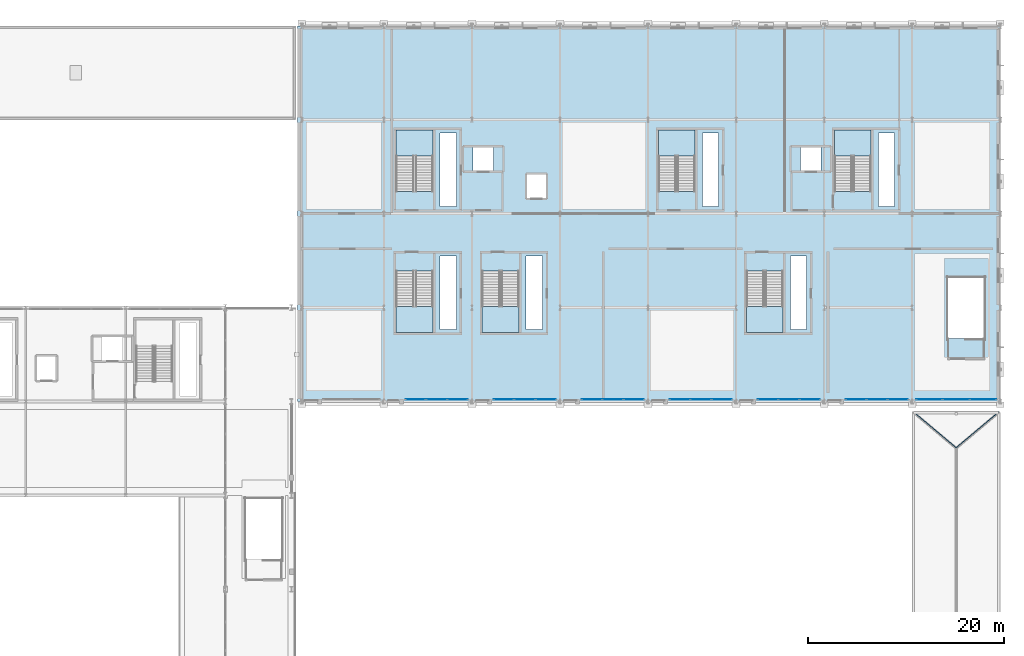
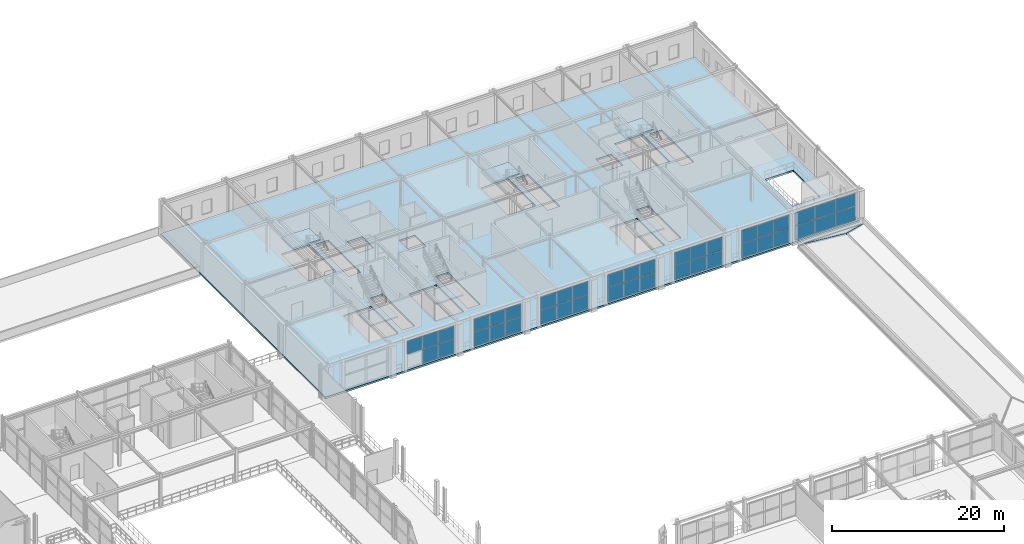
# One storey, part 64 of 125: 41 plates, 8 slabs, 13 elements without a shape of their own.
"""IFC4 building model written with IfcOpenShell, lengths in metres."""

from ifc_helpers import new_model, si_unit, direction, frame, origin, origin_2d, place, context, subcontext, project, spatial, polyline, rectangle, outline, extrude, material, layer, layer_set, type_object, element, aggregate, save


model = new_model("IFC4")

# Units and contexts
model_context = context("Model", 3, precision=1e-05, world=origin(), true_north=direction((0.0, 1.0)))
body_context = subcontext(model_context, "Body", "Model", "MODEL_VIEW")
ifc_project = project(units=[si_unit("LENGTHUNIT", "METRE"), si_unit("AREAUNIT", "SQUARE_METRE"), si_unit("VOLUMEUNIT", "CUBIC_METRE"), si_unit("PLANEANGLEUNIT", "RADIAN"), si_unit("MASSUNIT", "GRAM", prefix="KILO")], contexts=[model_context])

# Site, building, storey
site_placement = place(None, origin())
site = spatial("IfcSite", under=ifc_project, at=site_placement, CompositionType="ELEMENT")
building_placement = place(site_placement, origin())
building = spatial("IfcBuilding", under=site, at=building_placement, Name="Myrtia Square Station", CompositionType="ELEMENT")
storey_placement = place(building_placement, frame((0.0, 0.0, 6.0)))
storey = spatial("IfcBuildingStorey", under=building, at=storey_placement, Name="L01", CompositionType="ELEMENT", Elevation=6.0)

# Curtain wall, plates
ifc_material_1 = material(Name="Dark bronze anodised aluminium", Category="aluminium")
ifc_layer_1 = layer(ifc_material_1, 0.159912109375, Name="Dark bronze anodised aluminium")
ifc_layer_set_1 = layer_set([ifc_layer_1], Name="Dark bronze anodised aluminium")
curtain_wall_type_1 = type_object("IfcCurtainWallType", Name="CW-TYPE-39-650x400", PredefinedType="USERDEFINED", material=ifc_layer_set_1)
curtain_wall_1_placement = place(storey_placement, origin())
curtain_wall_1 = element("IfcCurtainWall", 1, at=curtain_wall_1_placement, inside=storey, type_object=curtain_wall_type_1, Name="Concourse curtain wall CW-L01-118", ObjectType="CONCOURSE CURTAIN WALL", PredefinedType="USERDEFINED")
ifc_material_2 = material(Name="Tinted low-E solar control glass", Category="glass")
ifc_layer_2 = layer(ifc_material_2, 0.02392578125, Name="Tinted low-E solar control glass")
ifc_layer_set_2 = layer_set([ifc_layer_2], Name="Tinted low-E solar control glass")
plate_type_1 = type_object("IfcPlateType", Name="CWP-GLZ-24", PredefinedType="CURTAIN_PANEL", material=ifc_layer_set_2)
plate_1_placement = place(storey_placement, frame((129.252197265625, 86.60009765625, 2.117431640625), z_axis=(0.0, 0.0, 1.0), x_axis=(1.0, 0.0, 0.0)))
plate_1 = element("IfcPlate", 2, at=plate_1_placement, type_object=plate_type_1, Name="CW-118 panel 1.2", PredefinedType="CURTAIN_PANEL", context=body_context, shape_type="SweptSolid", body=[
    extrude(rectangle(XDim=2.05419921875, YDim=0.02392578125, at=origin_2d()), origin(), (0.0, 0.0, 1.0), 1.8076171875),
])
plate_2_placement = place(storey_placement, frame((131.39990234375, 86.60009765625, 0.0751953125), z_axis=(0.0, 0.0, 1.0), x_axis=(1.0, 0.0, 0.0)))
plate_2 = element("IfcPlate", 3, at=plate_2_placement, type_object=plate_type_1, Name="CW-118 panel 2.1", PredefinedType="CURTAIN_PANEL", context=body_context, shape_type="SweptSolid", body=[
    extrude(rectangle(XDim=2.091552734375, YDim=0.02392578125, at=origin_2d()), origin(), (0.0, 0.0, 1.0), 1.967529296875),
])
plate_3_placement = place(storey_placement, frame((131.39990234375, 86.60009765625, 2.117431640625), z_axis=(0.0, 0.0, 1.0), x_axis=(1.0, 0.0, 0.0)))
plate_3 = element("IfcPlate", 4, at=plate_3_placement, type_object=plate_type_1, Name="CW-118 panel 2.2", PredefinedType="CURTAIN_PANEL", context=body_context, shape_type="SweptSolid", body=[
    extrude(rectangle(XDim=2.091552734375, YDim=0.02392578125, at=origin_2d()), origin(), (0.0, 0.0, 1.0), 1.8076171875),
])
plate_4_placement = place(storey_placement, frame((133.5478515625, 86.60009765625, 0.0751953125), z_axis=(0.0, 0.0, 1.0), x_axis=(1.0, 0.0, 0.0)))
plate_4 = element("IfcPlate", 5, at=plate_4_placement, type_object=plate_type_1, Name="CW-118 panel 3.1", PredefinedType="CURTAIN_PANEL", context=body_context, shape_type="SweptSolid", body=[
    extrude(rectangle(XDim=2.05419921875, YDim=0.02392578125, at=origin_2d()), origin(), (0.0, 0.0, 1.0), 1.967529296875),
])
plate_5_placement = place(storey_placement, frame((133.5478515625, 86.60009765625, 2.117431640625), z_axis=(0.0, 0.0, 1.0), x_axis=(1.0, 0.0, 0.0)))
plate_5 = element("IfcPlate", 6, at=plate_5_placement, type_object=plate_type_1, Name="CW-118 panel 3.2", PredefinedType="CURTAIN_PANEL", context=body_context, shape_type="SweptSolid", body=[
    extrude(rectangle(XDim=2.05419921875, YDim=0.02392578125, at=origin_2d()), origin(), (0.0, 0.0, 1.0), 1.8076171875),
])
aggregate(curtain_wall_1, [plate_1, plate_2, plate_3, plate_4, plate_5])

ifc_layer_3 = layer(ifc_material_1, 0.159912109375, Name="Dark bronze anodised aluminium")
ifc_layer_set_3 = layer_set([ifc_layer_3], Name="Dark bronze anodised aluminium")
curtain_wall_type_2 = type_object("IfcCurtainWallType", Name="CW-TYPE-44-830x400", PredefinedType="USERDEFINED", material=ifc_layer_set_3)
curtain_wall_2_placement = place(storey_placement, origin())
curtain_wall_2 = element("IfcCurtainWall", 7, at=curtain_wall_2_placement, inside=storey, type_object=curtain_wall_type_2, Name="Concourse curtain wall CW-L01-146", ObjectType="CONCOURSE CURTAIN WALL", PredefinedType="USERDEFINED")
plate_6_placement = place(storey_placement, frame((181.752197265625, 86.60009765625, 0.0751953125), z_axis=(0.0, 0.0, 1.0), x_axis=(1.0, 0.0, 0.0)))
plate_6 = element("IfcPlate", 8, at=plate_6_placement, type_object=plate_type_1, Name="CW-146 panel 1.1", PredefinedType="CURTAIN_PANEL", context=body_context, shape_type="SweptSolid", body=[
    extrude(rectangle(XDim=2.654052734375, YDim=0.02392578125, at=origin_2d()), origin(), (0.0, 0.0, 1.0), 1.967529296875),
])
plate_7_placement = place(storey_placement, frame((181.752197265625, 86.60009765625, 2.117431640625), z_axis=(0.0, 0.0, 1.0), x_axis=(1.0, 0.0, 0.0)))
plate_7 = element("IfcPlate", 9, at=plate_7_placement, type_object=plate_type_1, Name="CW-146 panel 1.2", PredefinedType="CURTAIN_PANEL", context=body_context, shape_type="SweptSolid", body=[
    extrude(rectangle(XDim=2.654052734375, YDim=0.02392578125, at=origin_2d()), origin(), (0.0, 0.0, 1.0), 1.8076171875),
])
plate_8_placement = place(storey_placement, frame((184.5, 86.60009765625, 0.0751953125), z_axis=(0.0, 0.0, 1.0), x_axis=(1.0, 0.0, 0.0)))
plate_8 = element("IfcPlate", 10, at=plate_8_placement, type_object=plate_type_1, Name="CW-146 panel 2.1", PredefinedType="CURTAIN_PANEL", context=body_context, shape_type="SweptSolid", body=[
    extrude(rectangle(XDim=2.691650390625, YDim=0.02392578125, at=origin_2d()), origin(), (0.0, 0.0, 1.0), 1.967529296875),
])
plate_9_placement = place(storey_placement, frame((184.5, 86.60009765625, 2.117431640625), z_axis=(0.0, 0.0, 1.0), x_axis=(1.0, 0.0, 0.0)))
plate_9 = element("IfcPlate", 11, at=plate_9_placement, type_object=plate_type_1, Name="CW-146 panel 2.2", PredefinedType="CURTAIN_PANEL", context=body_context, shape_type="SweptSolid", body=[
    extrude(rectangle(XDim=2.691650390625, YDim=0.02392578125, at=origin_2d()), origin(), (0.0, 0.0, 1.0), 1.8076171875),
])
plate_10_placement = place(storey_placement, frame((187.247802734375, 86.60009765625, 0.0751953125), z_axis=(0.0, 0.0, 1.0), x_axis=(1.0, 0.0, 0.0)))
plate_10 = element("IfcPlate", 12, at=plate_10_placement, type_object=plate_type_1, Name="CW-146 panel 3.1", PredefinedType="CURTAIN_PANEL", context=body_context, shape_type="SweptSolid", body=[
    extrude(rectangle(XDim=2.654052734375, YDim=0.02392578125, at=origin_2d()), origin(), (0.0, 0.0, 1.0), 1.967529296875),
])
plate_11_placement = place(storey_placement, frame((187.247802734375, 86.60009765625, 2.117431640625), z_axis=(0.0, 0.0, 1.0), x_axis=(1.0, 0.0, 0.0)))
plate_11 = element("IfcPlate", 13, at=plate_11_placement, type_object=plate_type_1, Name="CW-146 panel 3.2", PredefinedType="CURTAIN_PANEL", context=body_context, shape_type="SweptSolid", body=[
    extrude(rectangle(XDim=2.654052734375, YDim=0.02392578125, at=origin_2d()), origin(), (0.0, 0.0, 1.0), 1.8076171875),
])
aggregate(curtain_wall_2, [plate_6, plate_7, plate_8, plate_9, plate_10, plate_11])

curtain_wall_3_placement = place(storey_placement, origin())
curtain_wall_3 = element("IfcCurtainWall", 14, at=curtain_wall_3_placement, inside=storey, type_object=curtain_wall_type_1, Name="Concourse curtain wall CW-L01-123", ObjectType="CONCOURSE CURTAIN WALL", PredefinedType="USERDEFINED")
ifc_layer_4 = layer(ifc_material_2, 0.028076171875, Name="Tinted low-E solar control glass")
ifc_layer_set_4 = layer_set([ifc_layer_4], Name="Tinted low-E solar control glass")
plate_type_2 = type_object("IfcPlateType", Name="CWP-GLZ-28", PredefinedType="CURTAIN_PANEL", material=ifc_layer_set_4)
plate_12_placement = place(storey_placement, frame((138.252197265625, 86.60009765625, 0.0751953125), z_axis=(0.0, 0.0, 1.0), x_axis=(1.0, 0.0, 0.0)))
plate_12 = element("IfcPlate", 15, at=plate_12_placement, type_object=plate_type_2, Name="CW-123 panel 1.1", PredefinedType="CURTAIN_PANEL", context=body_context, shape_type="SweptSolid", body=[
    extrude(rectangle(XDim=2.05419921875, YDim=0.028076171875, at=origin_2d()), origin(), (0.0, 0.0, 1.0), 1.967529296875),
])
plate_13_placement = place(storey_placement, frame((138.252197265625, 86.60009765625, 2.117431640625), z_axis=(0.0, 0.0, 1.0), x_axis=(1.0, 0.0, 0.0)))
plate_13 = element("IfcPlate", 16, at=plate_13_placement, type_object=plate_type_2, Name="CW-123 panel 1.2", PredefinedType="CURTAIN_PANEL", context=body_context, shape_type="SweptSolid", body=[
    extrude(rectangle(XDim=2.05419921875, YDim=0.028076171875, at=origin_2d()), origin(), (0.0, 0.0, 1.0), 1.8076171875),
])
plate_14_placement = place(storey_placement, frame((140.39990234375, 86.60009765625, 0.0751953125), z_axis=(0.0, 0.0, 1.0), x_axis=(1.0, 0.0, 0.0)))
plate_14 = element("IfcPlate", 17, at=plate_14_placement, type_object=plate_type_2, Name="CW-123 panel 2.1", PredefinedType="CURTAIN_PANEL", context=body_context, shape_type="SweptSolid", body=[
    extrude(rectangle(XDim=2.091552734375, YDim=0.028076171875, at=origin_2d()), origin(), (0.0, 0.0, 1.0), 1.967529296875),
])
plate_15_placement = place(storey_placement, frame((140.39990234375, 86.60009765625, 2.117431640625), z_axis=(0.0, 0.0, 1.0), x_axis=(1.0, 0.0, 0.0)))
plate_15 = element("IfcPlate", 18, at=plate_15_placement, type_object=plate_type_2, Name="CW-123 panel 2.2", PredefinedType="CURTAIN_PANEL", context=body_context, shape_type="SweptSolid", body=[
    extrude(rectangle(XDim=2.091552734375, YDim=0.028076171875, at=origin_2d()), origin(), (0.0, 0.0, 1.0), 1.8076171875),
])
plate_16_placement = place(storey_placement, frame((142.5478515625, 86.60009765625, 0.0751953125), z_axis=(0.0, 0.0, 1.0), x_axis=(1.0, 0.0, 0.0)))
plate_16 = element("IfcPlate", 19, at=plate_16_placement, type_object=plate_type_2, Name="CW-123 panel 3.1", PredefinedType="CURTAIN_PANEL", context=body_context, shape_type="SweptSolid", body=[
    extrude(rectangle(XDim=2.05419921875, YDim=0.028076171875, at=origin_2d()), origin(), (0.0, 0.0, 1.0), 1.967529296875),
])
plate_17_placement = place(storey_placement, frame((142.5478515625, 86.60009765625, 2.117431640625), z_axis=(0.0, 0.0, 1.0), x_axis=(1.0, 0.0, 0.0)))
plate_17 = element("IfcPlate", 20, at=plate_17_placement, type_object=plate_type_2, Name="CW-123 panel 3.2", PredefinedType="CURTAIN_PANEL", context=body_context, shape_type="SweptSolid", body=[
    extrude(rectangle(XDim=2.05419921875, YDim=0.028076171875, at=origin_2d()), origin(), (0.0, 0.0, 1.0), 1.8076171875),
])
aggregate(curtain_wall_3, [plate_12, plate_13, plate_14, plate_15, plate_16, plate_17])

curtain_wall_4_placement = place(storey_placement, origin())
curtain_wall_4 = element("IfcCurtainWall", 21, at=curtain_wall_4_placement, inside=storey, type_object=curtain_wall_type_1, Name="Concourse curtain wall CW-L01-127", ObjectType="CONCOURSE CURTAIN WALL", PredefinedType="USERDEFINED")
plate_18_placement = place(storey_placement, frame((147.252197265625, 86.60009765625, 0.0751953125), z_axis=(0.0, 0.0, 1.0), x_axis=(1.0, 0.0, 0.0)))
plate_18 = element("IfcPlate", 22, at=plate_18_placement, type_object=plate_type_2, Name="CW-127 panel 1.1", PredefinedType="CURTAIN_PANEL", context=body_context, shape_type="SweptSolid", body=[
    extrude(rectangle(XDim=2.05419921875, YDim=0.028076171875, at=origin_2d()), origin(), (0.0, 0.0, 1.0), 1.967529296875),
])
plate_19_placement = place(storey_placement, frame((147.252197265625, 86.60009765625, 2.117431640625), z_axis=(0.0, 0.0, 1.0), x_axis=(1.0, 0.0, 0.0)))
plate_19 = element("IfcPlate", 23, at=plate_19_placement, type_object=plate_type_2, Name="CW-127 panel 1.2", PredefinedType="CURTAIN_PANEL", context=body_context, shape_type="SweptSolid", body=[
    extrude(rectangle(XDim=2.05419921875, YDim=0.028076171875, at=origin_2d()), origin(), (0.0, 0.0, 1.0), 1.8076171875),
])
plate_20_placement = place(storey_placement, frame((149.39990234375, 86.60009765625, 0.0751953125), z_axis=(0.0, 0.0, 1.0), x_axis=(1.0, 0.0, 0.0)))
plate_20 = element("IfcPlate", 24, at=plate_20_placement, type_object=plate_type_2, Name="CW-127 panel 2.1", PredefinedType="CURTAIN_PANEL", context=body_context, shape_type="SweptSolid", body=[
    extrude(rectangle(XDim=2.091552734375, YDim=0.028076171875, at=origin_2d()), origin(), (0.0, 0.0, 1.0), 1.967529296875),
])
plate_21_placement = place(storey_placement, frame((149.39990234375, 86.60009765625, 2.117431640625), z_axis=(0.0, 0.0, 1.0), x_axis=(1.0, 0.0, 0.0)))
plate_21 = element("IfcPlate", 25, at=plate_21_placement, type_object=plate_type_2, Name="CW-127 panel 2.2", PredefinedType="CURTAIN_PANEL", context=body_context, shape_type="SweptSolid", body=[
    extrude(rectangle(XDim=2.091552734375, YDim=0.028076171875, at=origin_2d()), origin(), (0.0, 0.0, 1.0), 1.8076171875),
])
plate_22_placement = place(storey_placement, frame((151.5478515625, 86.60009765625, 0.0751953125), z_axis=(0.0, 0.0, 1.0), x_axis=(1.0, 0.0, 0.0)))
plate_22 = element("IfcPlate", 26, at=plate_22_placement, type_object=plate_type_2, Name="CW-127 panel 3.1", PredefinedType="CURTAIN_PANEL", context=body_context, shape_type="SweptSolid", body=[
    extrude(rectangle(XDim=2.05419921875, YDim=0.028076171875, at=origin_2d()), origin(), (0.0, 0.0, 1.0), 1.967529296875),
])
plate_23_placement = place(storey_placement, frame((151.5478515625, 86.60009765625, 2.117431640625), z_axis=(0.0, 0.0, 1.0), x_axis=(1.0, 0.0, 0.0)))
plate_23 = element("IfcPlate", 27, at=plate_23_placement, type_object=plate_type_2, Name="CW-127 panel 3.2", PredefinedType="CURTAIN_PANEL", context=body_context, shape_type="SweptSolid", body=[
    extrude(rectangle(XDim=2.05419921875, YDim=0.028076171875, at=origin_2d()), origin(), (0.0, 0.0, 1.0), 1.8076171875),
])
aggregate(curtain_wall_4, [plate_18, plate_19, plate_20, plate_21, plate_22, plate_23])

curtain_wall_5_placement = place(storey_placement, origin())
curtain_wall_5 = element("IfcCurtainWall", 28, at=curtain_wall_5_placement, inside=storey, type_object=curtain_wall_type_1, Name="Concourse curtain wall CW-L01-131", ObjectType="CONCOURSE CURTAIN WALL", PredefinedType="USERDEFINED")
plate_24_placement = place(storey_placement, frame((156.252197265625, 86.60009765625, 0.0751953125), z_axis=(0.0, 0.0, 1.0), x_axis=(1.0, 0.0, 0.0)))
plate_24 = element("IfcPlate", 29, at=plate_24_placement, type_object=plate_type_2, Name="CW-131 panel 1.1", PredefinedType="CURTAIN_PANEL", context=body_context, shape_type="SweptSolid", body=[
    extrude(rectangle(XDim=2.05419921875, YDim=0.028076171875, at=origin_2d()), origin(), (0.0, 0.0, 1.0), 1.967529296875),
])
plate_25_placement = place(storey_placement, frame((156.252197265625, 86.60009765625, 2.117431640625), z_axis=(0.0, 0.0, 1.0), x_axis=(1.0, 0.0, 0.0)))
plate_25 = element("IfcPlate", 30, at=plate_25_placement, type_object=plate_type_2, Name="CW-131 panel 1.2", PredefinedType="CURTAIN_PANEL", context=body_context, shape_type="SweptSolid", body=[
    extrude(rectangle(XDim=2.05419921875, YDim=0.028076171875, at=origin_2d()), origin(), (0.0, 0.0, 1.0), 1.8076171875),
])
plate_26_placement = place(storey_placement, frame((158.39990234375, 86.60009765625, 0.0751953125), z_axis=(0.0, 0.0, 1.0), x_axis=(1.0, 0.0, 0.0)))
plate_26 = element("IfcPlate", 31, at=plate_26_placement, type_object=plate_type_2, Name="CW-131 panel 2.1", PredefinedType="CURTAIN_PANEL", context=body_context, shape_type="SweptSolid", body=[
    extrude(rectangle(XDim=2.091552734375, YDim=0.028076171875, at=origin_2d()), origin(), (0.0, 0.0, 1.0), 1.967529296875),
])
plate_27_placement = place(storey_placement, frame((158.39990234375, 86.60009765625, 2.117431640625), z_axis=(0.0, 0.0, 1.0), x_axis=(1.0, 0.0, 0.0)))
plate_27 = element("IfcPlate", 32, at=plate_27_placement, type_object=plate_type_2, Name="CW-131 panel 2.2", PredefinedType="CURTAIN_PANEL", context=body_context, shape_type="SweptSolid", body=[
    extrude(rectangle(XDim=2.091552734375, YDim=0.028076171875, at=origin_2d()), origin(), (0.0, 0.0, 1.0), 1.8076171875),
])
plate_28_placement = place(storey_placement, frame((160.5478515625, 86.60009765625, 0.0751953125), z_axis=(0.0, 0.0, 1.0), x_axis=(1.0, 0.0, 0.0)))
plate_28 = element("IfcPlate", 33, at=plate_28_placement, type_object=plate_type_2, Name="CW-131 panel 3.1", PredefinedType="CURTAIN_PANEL", context=body_context, shape_type="SweptSolid", body=[
    extrude(rectangle(XDim=2.05419921875, YDim=0.028076171875, at=origin_2d()), origin(), (0.0, 0.0, 1.0), 1.967529296875),
])
plate_29_placement = place(storey_placement, frame((160.5478515625, 86.60009765625, 2.117431640625), z_axis=(0.0, 0.0, 1.0), x_axis=(1.0, 0.0, 0.0)))
plate_29 = element("IfcPlate", 34, at=plate_29_placement, type_object=plate_type_2, Name="CW-131 panel 3.2", PredefinedType="CURTAIN_PANEL", context=body_context, shape_type="SweptSolid", body=[
    extrude(rectangle(XDim=2.05419921875, YDim=0.028076171875, at=origin_2d()), origin(), (0.0, 0.0, 1.0), 1.8076171875),
])
aggregate(curtain_wall_5, [plate_24, plate_25, plate_26, plate_27, plate_28, plate_29])

curtain_wall_6_placement = place(storey_placement, origin())
curtain_wall_6 = element("IfcCurtainWall", 35, at=curtain_wall_6_placement, inside=storey, type_object=curtain_wall_type_1, Name="Concourse curtain wall CW-L01-136", ObjectType="CONCOURSE CURTAIN WALL", PredefinedType="USERDEFINED")
ifc_layer_5 = layer(ifc_material_2, 0.031982421875, Name="Tinted low-E solar control glass")
ifc_layer_set_5 = layer_set([ifc_layer_5], Name="Tinted low-E solar control glass")
plate_type_3 = type_object("IfcPlateType", Name="CWP-GLZ-32", PredefinedType="CURTAIN_PANEL", material=ifc_layer_set_5)
plate_30_placement = place(storey_placement, frame((165.252197265625, 86.60009765625, 0.0751953125), z_axis=(0.0, 0.0, 1.0), x_axis=(1.0, 0.0, 0.0)))
plate_30 = element("IfcPlate", 36, at=plate_30_placement, type_object=plate_type_3, Name="CW-136 panel 1.1", PredefinedType="CURTAIN_PANEL", context=body_context, shape_type="SweptSolid", body=[
    extrude(rectangle(XDim=2.05419921875, YDim=0.031982421875, at=origin_2d()), origin(), (0.0, 0.0, 1.0), 1.967529296875),
])
plate_31_placement = place(storey_placement, frame((165.252197265625, 86.60009765625, 2.117431640625), z_axis=(0.0, 0.0, 1.0), x_axis=(1.0, 0.0, 0.0)))
plate_31 = element("IfcPlate", 37, at=plate_31_placement, type_object=plate_type_3, Name="CW-136 panel 1.2", PredefinedType="CURTAIN_PANEL", context=body_context, shape_type="SweptSolid", body=[
    extrude(rectangle(XDim=2.05419921875, YDim=0.031982421875, at=origin_2d()), origin(), (0.0, 0.0, 1.0), 1.8076171875),
])
plate_32_placement = place(storey_placement, frame((167.39990234375, 86.60009765625, 0.0751953125), z_axis=(0.0, 0.0, 1.0), x_axis=(1.0, 0.0, 0.0)))
plate_32 = element("IfcPlate", 38, at=plate_32_placement, type_object=plate_type_3, Name="CW-136 panel 2.1", PredefinedType="CURTAIN_PANEL", context=body_context, shape_type="SweptSolid", body=[
    extrude(rectangle(XDim=2.091552734375, YDim=0.031982421875, at=origin_2d()), origin(), (0.0, 0.0, 1.0), 1.967529296875),
])
plate_33_placement = place(storey_placement, frame((167.39990234375, 86.60009765625, 2.117431640625), z_axis=(0.0, 0.0, 1.0), x_axis=(1.0, 0.0, 0.0)))
plate_33 = element("IfcPlate", 39, at=plate_33_placement, type_object=plate_type_3, Name="CW-136 panel 2.2", PredefinedType="CURTAIN_PANEL", context=body_context, shape_type="SweptSolid", body=[
    extrude(rectangle(XDim=2.091552734375, YDim=0.031982421875, at=origin_2d()), origin(), (0.0, 0.0, 1.0), 1.8076171875),
])
plate_34_placement = place(storey_placement, frame((169.5478515625, 86.60009765625, 0.0751953125), z_axis=(0.0, 0.0, 1.0), x_axis=(1.0, 0.0, 0.0)))
plate_34 = element("IfcPlate", 40, at=plate_34_placement, type_object=plate_type_3, Name="CW-136 panel 3.1", PredefinedType="CURTAIN_PANEL", context=body_context, shape_type="SweptSolid", body=[
    extrude(rectangle(XDim=2.05419921875, YDim=0.031982421875, at=origin_2d()), origin(), (0.0, 0.0, 1.0), 1.967529296875),
])
plate_35_placement = place(storey_placement, frame((169.5478515625, 86.60009765625, 2.117431640625), z_axis=(0.0, 0.0, 1.0), x_axis=(1.0, 0.0, 0.0)))
plate_35 = element("IfcPlate", 41, at=plate_35_placement, type_object=plate_type_3, Name="CW-136 panel 3.2", PredefinedType="CURTAIN_PANEL", context=body_context, shape_type="SweptSolid", body=[
    extrude(rectangle(XDim=2.05419921875, YDim=0.031982421875, at=origin_2d()), origin(), (0.0, 0.0, 1.0), 1.8076171875),
])
aggregate(curtain_wall_6, [plate_30, plate_31, plate_32, plate_33, plate_34, plate_35])

curtain_wall_7_placement = place(storey_placement, origin())
curtain_wall_7 = element("IfcCurtainWall", 42, at=curtain_wall_7_placement, inside=storey, type_object=curtain_wall_type_1, Name="Concourse curtain wall CW-L01-141", ObjectType="CONCOURSE CURTAIN WALL", PredefinedType="USERDEFINED")
ifc_layer_6 = layer(ifc_material_2, 0.035888671875, Name="Tinted low-E solar control glass")
ifc_layer_set_6 = layer_set([ifc_layer_6], Name="Tinted low-E solar control glass")
plate_type_4 = type_object("IfcPlateType", Name="CWP-GLZ-36", PredefinedType="CURTAIN_PANEL", material=ifc_layer_set_6)
plate_36_placement = place(storey_placement, frame((174.252197265625, 86.60009765625, 0.0751953125), z_axis=(0.0, 0.0, 1.0), x_axis=(1.0, 0.0, 0.0)))
plate_36 = element("IfcPlate", 43, at=plate_36_placement, type_object=plate_type_4, Name="CW-141 panel 1.1", PredefinedType="CURTAIN_PANEL", context=body_context, shape_type="SweptSolid", body=[
    extrude(rectangle(XDim=2.05419921875, YDim=0.035888671875, at=origin_2d()), origin(), (0.0, 0.0, 1.0), 1.967529296875),
])
plate_37_placement = place(storey_placement, frame((174.252197265625, 86.60009765625, 2.117431640625), z_axis=(0.0, 0.0, 1.0), x_axis=(1.0, 0.0, 0.0)))
plate_37 = element("IfcPlate", 44, at=plate_37_placement, type_object=plate_type_4, Name="CW-141 panel 1.2", PredefinedType="CURTAIN_PANEL", context=body_context, shape_type="SweptSolid", body=[
    extrude(rectangle(XDim=2.05419921875, YDim=0.035888671875, at=origin_2d()), origin(), (0.0, 0.0, 1.0), 1.8076171875),
])
plate_38_placement = place(storey_placement, frame((176.39990234375, 86.60009765625, 0.0751953125), z_axis=(0.0, 0.0, 1.0), x_axis=(1.0, 0.0, 0.0)))
plate_38 = element("IfcPlate", 45, at=plate_38_placement, type_object=plate_type_4, Name="CW-141 panel 2.1", PredefinedType="CURTAIN_PANEL", context=body_context, shape_type="SweptSolid", body=[
    extrude(rectangle(XDim=2.091552734375, YDim=0.035888671875, at=origin_2d()), origin(), (0.0, 0.0, 1.0), 1.967529296875),
])
plate_39_placement = place(storey_placement, frame((176.39990234375, 86.60009765625, 2.117431640625), z_axis=(0.0, 0.0, 1.0), x_axis=(1.0, 0.0, 0.0)))
plate_39 = element("IfcPlate", 46, at=plate_39_placement, type_object=plate_type_4, Name="CW-141 panel 2.2", PredefinedType="CURTAIN_PANEL", context=body_context, shape_type="SweptSolid", body=[
    extrude(rectangle(XDim=2.091552734375, YDim=0.035888671875, at=origin_2d()), origin(), (0.0, 0.0, 1.0), 1.8076171875),
])
plate_40_placement = place(storey_placement, frame((178.5478515625, 86.60009765625, 0.0751953125), z_axis=(0.0, 0.0, 1.0), x_axis=(1.0, 0.0, 0.0)))
plate_40 = element("IfcPlate", 47, at=plate_40_placement, type_object=plate_type_4, Name="CW-141 panel 3.1", PredefinedType="CURTAIN_PANEL", context=body_context, shape_type="SweptSolid", body=[
    extrude(rectangle(XDim=2.05419921875, YDim=0.035888671875, at=origin_2d()), origin(), (0.0, 0.0, 1.0), 1.967529296875),
])
plate_41_placement = place(storey_placement, frame((178.5478515625, 86.60009765625, 2.117431640625), z_axis=(0.0, 0.0, 1.0), x_axis=(1.0, 0.0, 0.0)))
plate_41 = element("IfcPlate", 48, at=plate_41_placement, type_object=plate_type_4, Name="CW-141 panel 3.2", PredefinedType="CURTAIN_PANEL", context=body_context, shape_type="SweptSolid", body=[
    extrude(rectangle(XDim=2.05419921875, YDim=0.035888671875, at=origin_2d()), origin(), (0.0, 0.0, 1.0), 1.8076171875),
])
aggregate(curtain_wall_7, [plate_36, plate_37, plate_38, plate_39, plate_40, plate_41])

# Slabs
ifc_material_3 = material(Name="Concrete C35/45", Category="concrete")
ifc_layer_7 = layer(ifc_material_3, 0.25, Name="Concrete C35/45")
ifc_layer_set_7 = layer_set([ifc_layer_7], Name="Concrete C35/45")
slab_type_1 = type_object("IfcSlabType", Name="SLB-FLR-250", PredefinedType="FLOOR", material=ifc_layer_set_7)
slab_1_placement = place(storey_placement, frame((0.0, 0.0, -0.25)))
element("IfcSlab", 49, at=slab_1_placement, inside=storey, type_object=slab_type_1, Name="Structural floor slab SLB-L01-V5", PredefinedType="FLOOR", context=body_context, shape_type="SweptSolid", body=[
    extrude(outline(polyline([(117.14990234375, 86.39990234375), (189.0, 86.39990234375), (189.0, 124.800048828125), (117.14990234375, 124.800048828125), (117.14990234375, 86.39990234375)]), holes=[polyline([(131.75, 106.35009765625), (131.75, 113.85009765625), (133.39990234375, 113.85009765625), (133.39990234375, 106.35009765625), (131.75, 106.35009765625)]), polyline([(176.550048828125, 106.35009765625), (176.550048828125, 113.85009765625), (178.199951171875, 113.85009765625), (178.199951171875, 106.35009765625), (176.550048828125, 106.35009765625)]), polyline([(131.75, 93.75), (131.75, 101.25), (133.39990234375, 101.25), (133.39990234375, 93.75), (131.75, 93.75)]), polyline([(140.550048828125, 93.75), (140.550048828125, 101.25), (142.199951171875, 101.25), (142.199951171875, 93.75), (140.550048828125, 93.75)]), polyline([(158.550048828125, 106.35009765625), (158.550048828125, 113.85009765625), (160.199951171875, 113.85009765625), (160.199951171875, 106.35009765625), (158.550048828125, 106.35009765625)]), polyline([(167.550048828125, 93.75), (167.550048828125, 101.25), (169.199951171875, 101.25), (169.199951171875, 93.75), (167.550048828125, 93.75)]), polyline([(127.25, 107.8798828125), (127.25, 114.14990234375), (131.010009765625, 114.14990234375), (131.010009765625, 107.8798828125), (127.25, 107.8798828125)]), polyline([(172.050048828125, 107.8798828125), (172.050048828125, 114.14990234375), (175.81005859375, 114.14990234375), (175.81005859375, 107.8798828125), (172.050048828125, 107.8798828125)]), polyline([(127.25, 93.449951171875), (127.25, 99.719970703125), (131.010009765625, 99.719970703125), (131.010009765625, 93.449951171875), (127.25, 93.449951171875)]), polyline([(136.050048828125, 93.449951171875), (136.050048828125, 99.719970703125), (139.81005859375, 99.719970703125), (139.81005859375, 93.449951171875), (136.050048828125, 93.449951171875)]), polyline([(154.050048828125, 107.8798828125), (154.050048828125, 114.14990234375), (157.81005859375, 114.14990234375), (157.81005859375, 107.8798828125), (154.050048828125, 107.8798828125)]), polyline([(163.050048828125, 93.449951171875), (163.050048828125, 99.719970703125), (166.81005859375, 99.719970703125), (166.81005859375, 93.449951171875), (163.050048828125, 93.449951171875)]), polyline([(183.639892578125, 92.830078125), (183.639892578125, 99.10009765625), (187.39990234375, 99.10009765625), (187.39990234375, 92.830078125), (183.639892578125, 92.830078125)]), polyline([(140.550048828125, 107.10009765625), (140.550048828125, 109.699951171875), (142.64990234375, 109.699951171875), (142.64990234375, 107.10009765625), (140.550048828125, 107.10009765625)]), polyline([(135.10009765625, 109.889892578125), (135.10009765625, 112.489990234375), (137.199951171875, 112.489990234375), (137.199951171875, 109.889892578125), (135.10009765625, 109.889892578125)]), polyline([(168.60009765625, 109.889892578125), (168.60009765625, 112.489990234375), (170.699951171875, 112.489990234375), (170.699951171875, 109.889892578125), (168.60009765625, 109.889892578125)])]), origin(), (0.0, 0.0, 1.0), 0.25),
])
ifc_layer_8 = layer(ifc_material_3, 0.18505859375, Name="Concrete C35/45")
ifc_layer_set_8 = layer_set([ifc_layer_8], Name="Concrete C35/45")
slab_type_2 = type_object("IfcSlabType", Name="SLB-HIP-185", PredefinedType="ROOF", material=ifc_layer_set_8)
slab_2_placement = place(storey_placement, frame((188.867919921875, 85.39990234375, 0.19189453125), z_axis=(0.0, 0.543605548136, 0.839340817568), x_axis=(-1.0, 0.0, 0.0)))
element("IfcSlab", 50, at=slab_2_placement, inside=storey, type_object=slab_type_2, Name="Spanish terracotta hipped roof HIP-V3 N", PredefinedType="ROOF", context=body_context, shape_type="SweptSolid", body=[
    extrude(outline(polyline([(0.0, 0.0), (8.73583984375, 0.0), (4.367919921875, 4.371222316020496), (0.0, 0.0)])), origin(), (0.0, 0.0, -1.0), 0.18505859375),
])

# Stair, slab
stair_type = type_object("IfcStairType", Name="STR-03-28R-1800W", PredefinedType="HALF_TURN_STAIR", material=ifc_material_3)
stair_1_placement = place(storey_placement, origin())
stair_1 = element("IfcStair", 51, at=stair_1_placement, inside=storey, type_object=stair_type, Name="L01 Core escape stair ST07", PredefinedType="HALF_TURN_STAIR")
ifc_layer_9 = layer(ifc_material_3, 0.199951171875, Name="Concrete C35/45")
ifc_layer_set_9 = layer_set([ifc_layer_9], Name="Concrete C35/45")
slab_type_3 = type_object("IfcSlabType", Name="SLB-LAND-200", PredefinedType="LANDING", material=ifc_layer_set_9)
slab_3_placement = place(storey_placement, frame((0.0, 0.0, 2.199951171875)))
slab_3 = element("IfcSlab", 52, at=slab_3_placement, type_object=slab_type_3, Name="ST07 landing 1", PredefinedType="LANDING", context=body_context, shape_type="SweptSolid", body=[
    extrude(outline(polyline([(131.010009765625, 111.489990234375), (131.010009765625, 114.14990234375), (127.25, 114.14990234375), (127.25, 111.489990234375), (131.010009765625, 111.489990234375)])), origin(), (0.0, 0.0, 1.0), 0.199951171875),
])
aggregate(stair_1, [slab_3])

stair_2_placement = place(storey_placement, origin())
stair_2 = element("IfcStair", 53, at=stair_2_placement, inside=storey, type_object=stair_type, Name="L01 Core escape stair ST08", PredefinedType="HALF_TURN_STAIR")
slab_4_placement = place(storey_placement, frame((0.0, 0.0, 2.199951171875)))
slab_4 = element("IfcSlab", 54, at=slab_4_placement, type_object=slab_type_3, Name="ST08 landing 1", PredefinedType="LANDING", context=body_context, shape_type="SweptSolid", body=[
    extrude(outline(polyline([(175.81005859375, 111.489990234375), (175.81005859375, 114.14990234375), (172.050048828125, 114.14990234375), (172.050048828125, 111.489990234375), (175.81005859375, 111.489990234375)])), origin(), (0.0, 0.0, 1.0), 0.199951171875),
])
aggregate(stair_2, [slab_4])

stair_3_placement = place(storey_placement, origin())
stair_3 = element("IfcStair", 55, at=stair_3_placement, inside=storey, type_object=stair_type, Name="L01 Core escape stair ST12", PredefinedType="HALF_TURN_STAIR")
slab_5_placement = place(storey_placement, frame((0.0, 0.0, 2.199951171875)))
slab_5 = element("IfcSlab", 56, at=slab_5_placement, type_object=slab_type_3, Name="ST12 landing 1", PredefinedType="LANDING", context=body_context, shape_type="SweptSolid", body=[
    extrude(outline(polyline([(127.25, 96.110107421875), (127.25, 93.449951171875), (131.010009765625, 93.449951171875), (131.010009765625, 96.110107421875), (127.25, 96.110107421875)])), origin(), (0.0, 0.0, 1.0), 0.199951171875),
])
aggregate(stair_3, [slab_5])

stair_4_placement = place(storey_placement, origin())
stair_4 = element("IfcStair", 57, at=stair_4_placement, inside=storey, type_object=stair_type, Name="L01 Core escape stair ST13", PredefinedType="HALF_TURN_STAIR")
slab_6_placement = place(storey_placement, frame((0.0, 0.0, 2.199951171875)))
slab_6 = element("IfcSlab", 58, at=slab_6_placement, type_object=slab_type_3, Name="ST13 landing 1", PredefinedType="LANDING", context=body_context, shape_type="SweptSolid", body=[
    extrude(outline(polyline([(136.050048828125, 96.110107421875), (136.050048828125, 93.449951171875), (139.81005859375, 93.449951171875), (139.81005859375, 96.110107421875), (136.050048828125, 96.110107421875)])), origin(), (0.0, 0.0, 1.0), 0.199951171875),
])
aggregate(stair_4, [slab_6])

stair_5_placement = place(storey_placement, origin())
stair_5 = element("IfcStair", 59, at=stair_5_placement, inside=storey, type_object=stair_type, Name="L01 Core escape stair ST15", PredefinedType="HALF_TURN_STAIR")
slab_7_placement = place(storey_placement, frame((0.0, 0.0, 2.199951171875)))
slab_7 = element("IfcSlab", 60, at=slab_7_placement, type_object=slab_type_3, Name="ST15 landing 1", PredefinedType="LANDING", context=body_context, shape_type="SweptSolid", body=[
    extrude(outline(polyline([(157.81005859375, 111.489990234375), (157.81005859375, 114.14990234375), (154.050048828125, 114.14990234375), (154.050048828125, 111.489990234375), (157.81005859375, 111.489990234375)])), origin(), (0.0, 0.0, 1.0), 0.199951171875),
])
aggregate(stair_5, [slab_7])

stair_6_placement = place(storey_placement, origin())
stair_6 = element("IfcStair", 61, at=stair_6_placement, inside=storey, type_object=stair_type, Name="L01 Core escape stair ST16", PredefinedType="HALF_TURN_STAIR")
slab_8_placement = place(storey_placement, frame((0.0, 0.0, 2.199951171875)))
slab_8 = element("IfcSlab", 62, at=slab_8_placement, type_object=slab_type_3, Name="ST16 landing 1", PredefinedType="LANDING", context=body_context, shape_type="SweptSolid", body=[
    extrude(outline(polyline([(163.050048828125, 96.110107421875), (163.050048828125, 93.449951171875), (166.81005859375, 93.449951171875), (166.81005859375, 96.110107421875), (163.050048828125, 96.110107421875)])), origin(), (0.0, 0.0, 1.0), 0.199951171875),
])
aggregate(stair_6, [slab_8])

save(model, "model.ifc")
